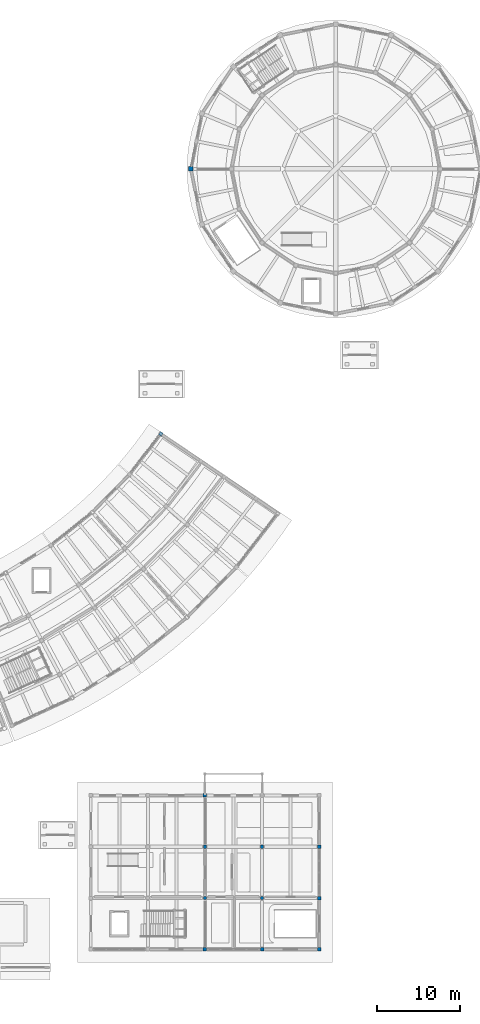
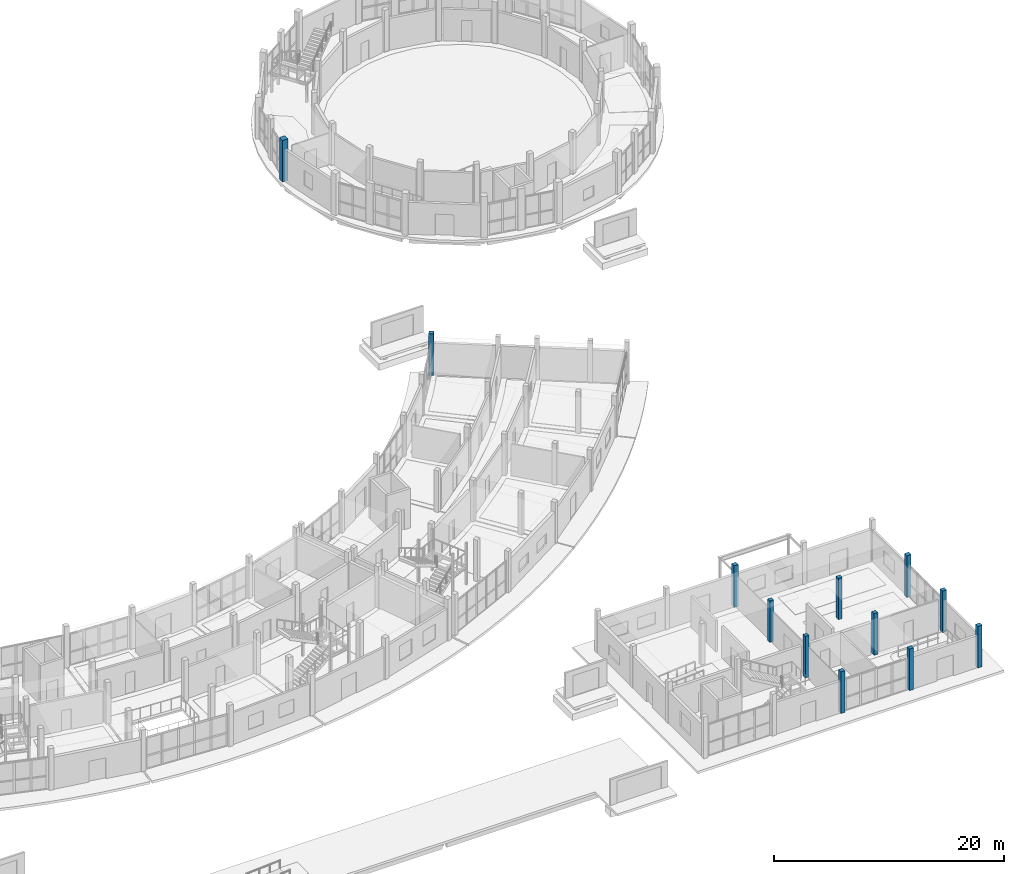
# One storey, part 17 of 92: 12 columns.
"""IFC4 building model written with IfcOpenShell, lengths in metres."""

from ifc_helpers import new_model, si_unit, direction, frame, origin, origin_2d, place, context, subcontext, project, spatial, rectangle, extrude, material, material_profile, profile_set, type_object, element, save


model = new_model("IFC4")

# Units and contexts
model_context = context("Model", 3, precision=1e-05, world=origin(), true_north=direction((0.0, 1.0)))
body_context = subcontext(model_context, "Body", "Model", "MODEL_VIEW")
ifc_project = project(units=[si_unit("LENGTHUNIT", "METRE"), si_unit("AREAUNIT", "SQUARE_METRE"), si_unit("VOLUMEUNIT", "CUBIC_METRE"), si_unit("PLANEANGLEUNIT", "RADIAN"), si_unit("MASSUNIT", "GRAM", prefix="KILO")], contexts=[model_context])

# Site, building, storey
site_placement = place(None, origin())
site = spatial("IfcSite", under=ifc_project, at=site_placement, CompositionType="ELEMENT")
building_placement = place(site_placement, origin())
building = spatial("IfcBuilding", under=site, at=building_placement, Name="Caldaven Crescent School", CompositionType="ELEMENT")
storey_placement = place(building_placement, origin())
storey = spatial("IfcBuildingStorey", under=building, at=storey_placement, Name="L00", CompositionType="ELEMENT", Elevation=0.0)

# Columns
ifc_material_1 = material(Name="Glulam MLE24h (GL28h)", Category="wood")
ifc_material_profile_1 = material_profile(ifc_material_1, rectangle(XDim=0.389892578125, YDim=0.389892578125, at=origin_2d()), Name="MLE 390x390")
ifc_profile_set_1 = profile_set([ifc_material_profile_1], Name="Glulam MLE24h (GL28h)")
column_type_1 = type_object("IfcColumnType", Name="COL-GL39", PredefinedType="COLUMN", material=ifc_profile_set_1)
for number, where, z_axis, x_axis, name in (
    (1, (136.699951171875, 10.39990234375, 0.0), (0.0, 0.0, 1.0), (1.0, 0.0, 0.0), "COL-V3-L00-2-1"),
    (2, (136.699951171875, 16.60009765625, 0.0), (0.0, 0.0, 1.0), (1.0, 0.0, 0.0), "COL-V3-L00-2-2"),
    (3, (143.60009765625, 10.39990234375, 0.0), (0.0, 0.0, 1.0), (1.0, 0.0, 0.0), "COL-V3-L00-3-1"),
    (4, (143.60009765625, 16.60009765625, 0.0), (0.0, 0.0, 1.0), (1.0, 0.0, 0.0), "COL-V3-L00-3-2"),
):
    element("IfcColumn", number, at=place(storey_placement, frame(where, z_axis=z_axis, x_axis=x_axis)), inside=storey, type_object=column_type_1, Name=name, PredefinedType="COLUMN", context=body_context, shape_type="SweptSolid", body=[
        extrude(rectangle(XDim=0.389892578125, YDim=0.389892578125, at=origin_2d()), origin(), (0.0, 0.0, 1.0), 4.419921875),
    ])
ifc_material_profile_2 = material_profile(ifc_material_1, rectangle(XDim=0.419921875, YDim=0.419921875, at=origin_2d()), Name="MLE 420x420")
ifc_profile_set_2 = profile_set([ifc_material_profile_2], Name="Glulam MLE24h (GL28h)")
column_type_2 = type_object("IfcColumnType", Name="COL-GL42", PredefinedType="COLUMN", material=ifc_profile_set_2)
for number, where, z_axis, x_axis, name in (
    (5, (136.699951171875, 4.199951171875, 0.0), (0.0, 0.0, 1.0), (1.0, 0.0, 0.0), "COL-V3-L00-2-0"),
    (6, (136.699951171875, 22.800048828125, 0.0), (0.0, 0.0, 1.0), (1.0, 0.0, 0.0), "COL-V3-L00-2-3"),
    (7, (143.60009765625, 4.199951171875, 0.0), (0.0, 0.0, 1.0), (1.0, 0.0, 0.0), "COL-V3-L00-3-0"),
    (8, (150.5, 4.199951171875, 0.0), (0.0, 0.0, 1.0), (1.0, 0.0, 0.0), "COL-V3-L00-4-0"),
    (9, (150.5, 10.39990234375, 0.0), (0.0, 0.0, 1.0), (1.0, 0.0, 0.0), "COL-V3-L00-4-1"),
    (10, (150.5, 16.60009765625, 0.0), (0.0, 0.0, 1.0), (1.0, 0.0, 0.0), "COL-V3-L00-4-2"),
    (11, (131.362548828125, 66.492431640625, 0.0), (0.0, 0.0, 1.0), (0.826786154745, -0.562516359159, 0.0), "COL-V4E-L00-05-0"),
):
    element("IfcColumn", number, at=place(storey_placement, frame(where, z_axis=z_axis, x_axis=x_axis)), inside=storey, type_object=column_type_2, Name=name, PredefinedType="COLUMN", context=body_context, shape_type="SweptSolid", body=[
        extrude(rectangle(XDim=0.419921875, YDim=0.419921875, at=origin_2d()), origin(), (0.0, 0.0, 1.0), 4.419921875),
    ])
ifc_material_2 = material(Name="Concrete C35/45", Category="concrete")
ifc_material_profile_3 = material_profile(ifc_material_2, rectangle(XDim=0.550048828125, YDim=0.550048828125, at=origin_2d()), Name="RC 550x550")
ifc_profile_set_3 = profile_set([ifc_material_profile_3], Name="Concrete C35/45")
column_type_3 = type_object("IfcColumnType", Name="COL-RC55", PredefinedType="COLUMN", material=ifc_profile_set_3)
column_placement = place(storey_placement, frame((135.0, 98.5, 0.0), z_axis=(0.0, 0.0, 1.0), x_axis=(-1.0, 0.0, 0.0)))
element("IfcColumn", 12, at=column_placement, inside=storey, type_object=column_type_3, Name="COL-V1-L00-OUT-08", PredefinedType="COLUMN", context=body_context, shape_type="SweptSolid", body=[
    extrude(rectangle(XDim=0.550048828125, YDim=0.550048828125, at=origin_2d()), origin(), (0.0, 0.0, 1.0), 4.419921875),
])

save(model, "model.ifc")
